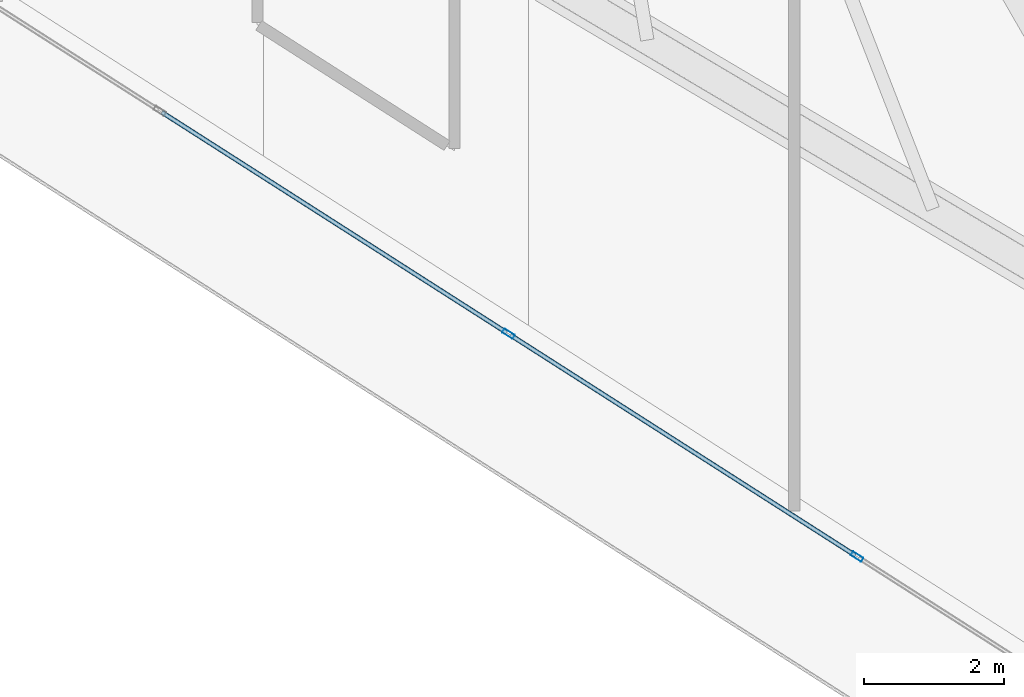
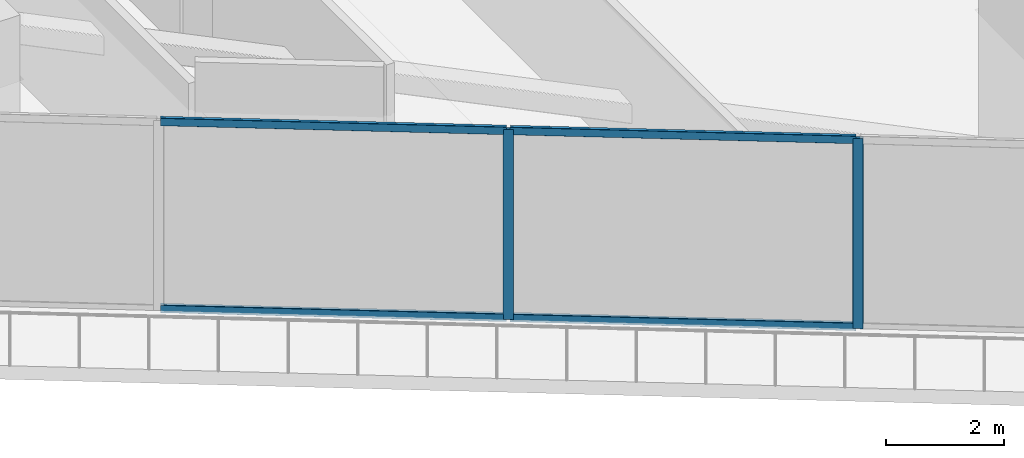
# One storey, part 8 of 52: 6 members, 1 element without a shape of its own.
"""IFC4 building model written with IfcOpenShell, lengths in metres."""

from ifc_helpers import new_model, si_unit, direction, frame, origin, origin_2d, place, context, subcontext, project, spatial, hollow_rectangle, extrude, material, layer, layer_set, material_profile, profile_set, type_object, element, aggregate, save


model = new_model("IFC4")

# Units and contexts
model_context = context("Model", 3, precision=1e-05, world=origin(), true_north=direction((0.0, 1.0)))
body_context = subcontext(model_context, "Body", "Model", "MODEL_VIEW")
ifc_project = project(units=[si_unit("LENGTHUNIT", "METRE"), si_unit("AREAUNIT", "SQUARE_METRE"), si_unit("VOLUMEUNIT", "CUBIC_METRE"), si_unit("PLANEANGLEUNIT", "RADIAN"), si_unit("MASSUNIT", "GRAM", prefix="KILO")], contexts=[model_context])

# Site, building, storey
site_placement = place(None, origin())
site = spatial("IfcSite", under=ifc_project, at=site_placement, CompositionType="ELEMENT")
building_placement = place(site_placement, origin())
building = spatial("IfcBuilding", under=site, at=building_placement, Name="Qorvath Tower", CompositionType="ELEMENT")
storey_placement = place(building_placement, frame((0.0, 0.0, 61.800048828125)))
storey = spatial("IfcBuildingStorey", under=building, at=storey_placement, Name="L13", CompositionType="ELEMENT", Elevation=61.800048828125)

# Curtain wall, members
ifc_material_1 = material(Name="Anodised aluminium and triple low-E glass", Category="aluminium")
ifc_layer = layer(ifc_material_1, 0.179931640625)
ifc_layer_set = layer_set([ifc_layer], Name="CW-SYS-2")
curtain_wall_type = type_object("IfcCurtainWallType", Name="CW-SYS-2", PredefinedType="NOTDEFINED", material=ifc_layer_set)
curtain_wall_placement = place(storey_placement, origin())
curtain_wall = element("IfcCurtainWall", 1, at=curtain_wall_placement, inside=storey, type_object=curtain_wall_type, Name="Curtain Wall CW-2 CW-T-L13-2.2", PredefinedType="NOTDEFINED")
ifc_material_2 = material(Name="Anodised aluminium 6063-T6", Category="aluminium")
ifc_material_profile_1 = material_profile(ifc_material_2, hollow_rectangle(XDim=0.06494140625, YDim=0.179931640625, WallThickness=0.00341796875, InnerFilletRadius=0.00341796875, OuterFilletRadius=0.007080078125, at=origin_2d()), Name="CWM 180x65")
ifc_profile_set_1 = profile_set([ifc_material_profile_1], Name="Anodised aluminium 6063-T6")
member_type_1 = type_object("IfcMemberType", Name="CWM-180", PredefinedType="MULLION", material=ifc_profile_set_1)
member_1_placement = place(storey_placement, frame((-25.019775390625, -26.458984375, 0.0), z_axis=(0.0, 0.0, 1.0), x_axis=(0.538536297709, 0.842602311918, 0.0)))
member_1 = element("IfcMember", 2, at=member_1_placement, type_object=member_type_1, Name="CW-2 mullion 4", PredefinedType="MULLION", context=body_context, shape_type="SweptSolid", body=[
    extrude(hollow_rectangle(XDim=0.06494140625, YDim=0.179931640625, WallThickness=0.00341796875, InnerFilletRadius=0.00341796875, OuterFilletRadius=0.007080078125, at=origin_2d()), origin(), (0.0, 0.0, 1.0), 3.919921875),
])
member_2_placement = place(storey_placement, frame((-20.0390625, -29.642578125, 0.0), z_axis=(0.0, 0.0, 1.0), x_axis=(0.538536297709, 0.842602311918, 0.0)))
member_2 = element("IfcMember", 3, at=member_2_placement, type_object=member_type_1, Name="CW-2 mullion 5", PredefinedType="MULLION", context=body_context, shape_type="SweptSolid", body=[
    extrude(hollow_rectangle(XDim=0.06494140625, YDim=0.179931640625, WallThickness=0.00341796875, InnerFilletRadius=0.00341796875, OuterFilletRadius=0.007080078125, at=origin_2d()), origin(), (0.0, 0.0, 1.0), 3.919921875),
])
ifc_material_3 = material(Name="Anodised aluminium 6063-T6", Category="aluminium")
ifc_material_profile_2 = material_profile(ifc_material_3, hollow_rectangle(XDim=0.06494140625, YDim=0.159912109375, WallThickness=0.00341796875, InnerFilletRadius=0.00341796875, OuterFilletRadius=0.007080078125, at=origin_2d()), Name="CWT 160x65")
ifc_profile_set_2 = profile_set([ifc_material_profile_2], Name="Anodised aluminium 6063-T6")
member_type_2 = type_object("IfcMemberType", Name="CWT-160", PredefinedType="USERDEFINED", material=ifc_profile_set_2)
member_3_placement = place(storey_placement, frame((-29.973388671875, -23.29296875, 0.032470703125), z_axis=(0.842610992455, -0.538522715765, 0.0), x_axis=(0.538522715765, 0.842610992455, 0.0)))
member_3 = element("IfcMember", 4, at=member_3_placement, type_object=member_type_2, Name="CW-2 transom 3.1", ObjectType="TRANSOM", PredefinedType="USERDEFINED", context=body_context, shape_type="SweptSolid", body=[
    extrude(hollow_rectangle(XDim=0.06494140625, YDim=0.159912109375, WallThickness=0.00341796875, InnerFilletRadius=0.00341796875, OuterFilletRadius=0.007080078125, at=origin_2d()), origin(), (0.0, 0.0, 1.0), 5.846435546875),
])
member_4_placement = place(storey_placement, frame((-29.973388671875, -23.29296875, 3.887451171875), z_axis=(0.842610992455, -0.538522715765, 0.0), x_axis=(0.538522715765, 0.842610992455, 0.0)))
member_4 = element("IfcMember", 5, at=member_4_placement, type_object=member_type_2, Name="CW-2 transom 3.2", ObjectType="TRANSOM", PredefinedType="USERDEFINED", context=body_context, shape_type="SweptSolid", body=[
    extrude(hollow_rectangle(XDim=0.06494140625, YDim=0.159912109375, WallThickness=0.00341796875, InnerFilletRadius=0.00341796875, OuterFilletRadius=0.007080078125, at=origin_2d()), origin(), (0.0, 0.0, 1.0), 5.846435546875),
])
member_5_placement = place(storey_placement, frame((-24.992431640625, -26.4765625, 0.032470703125), z_axis=(0.842598881455, -0.538541665027, 0.0), x_axis=(0.538541665027, 0.842598881455, 0.0)))
member_5 = element("IfcMember", 6, at=member_5_placement, type_object=member_type_2, Name="CW-2 transom 4.1", ObjectType="TRANSOM", PredefinedType="USERDEFINED", context=body_context, shape_type="SweptSolid", body=[
    extrude(hollow_rectangle(XDim=0.06494140625, YDim=0.159912109375, WallThickness=0.00341796875, InnerFilletRadius=0.00341796875, OuterFilletRadius=0.007080078125, at=origin_2d()), origin(), (0.0, 0.0, 1.0), 5.84619140625),
])
member_6_placement = place(storey_placement, frame((-24.992431640625, -26.4765625, 3.887451171875), z_axis=(0.842598881455, -0.538541665027, 0.0), x_axis=(0.538541665027, 0.842598881455, 0.0)))
member_6 = element("IfcMember", 7, at=member_6_placement, type_object=member_type_2, Name="CW-2 transom 4.2", ObjectType="TRANSOM", PredefinedType="USERDEFINED", context=body_context, shape_type="SweptSolid", body=[
    extrude(hollow_rectangle(XDim=0.06494140625, YDim=0.159912109375, WallThickness=0.00341796875, InnerFilletRadius=0.00341796875, OuterFilletRadius=0.007080078125, at=origin_2d()), origin(), (0.0, 0.0, 1.0), 5.84619140625),
])
aggregate(curtain_wall, [member_1, member_2, member_3, member_4, member_5, member_6])

save(model, "model.ifc")
